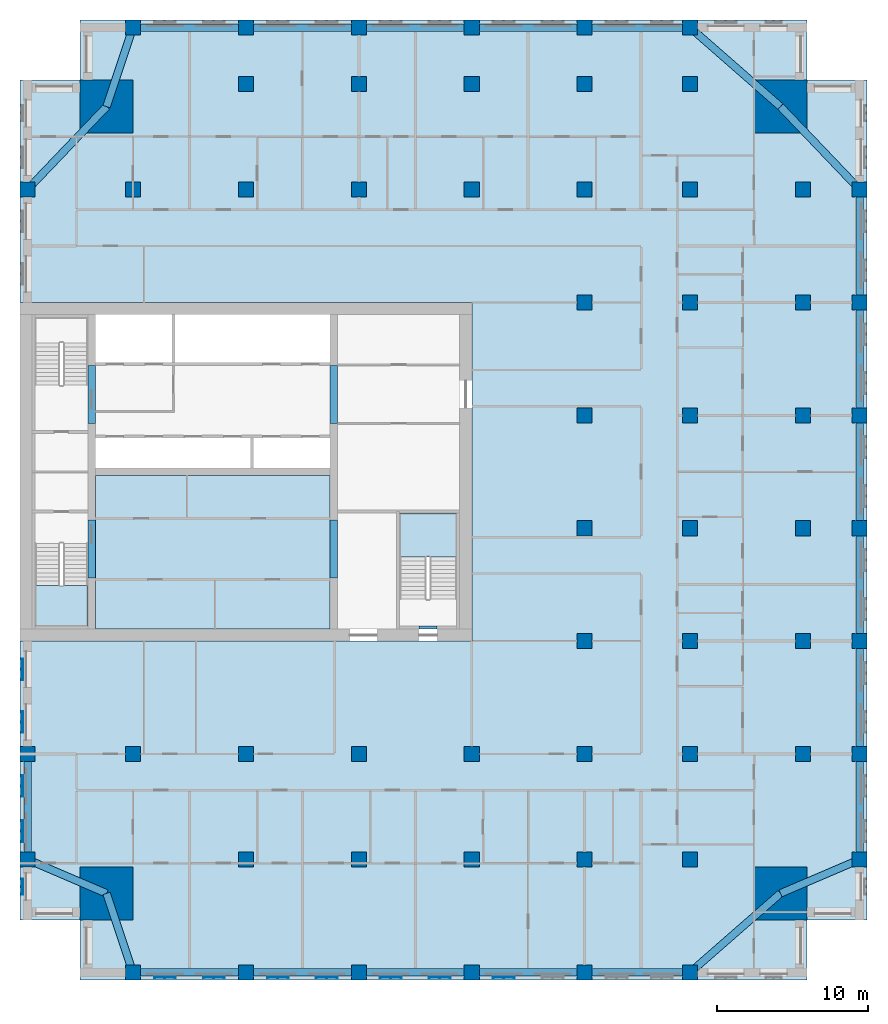
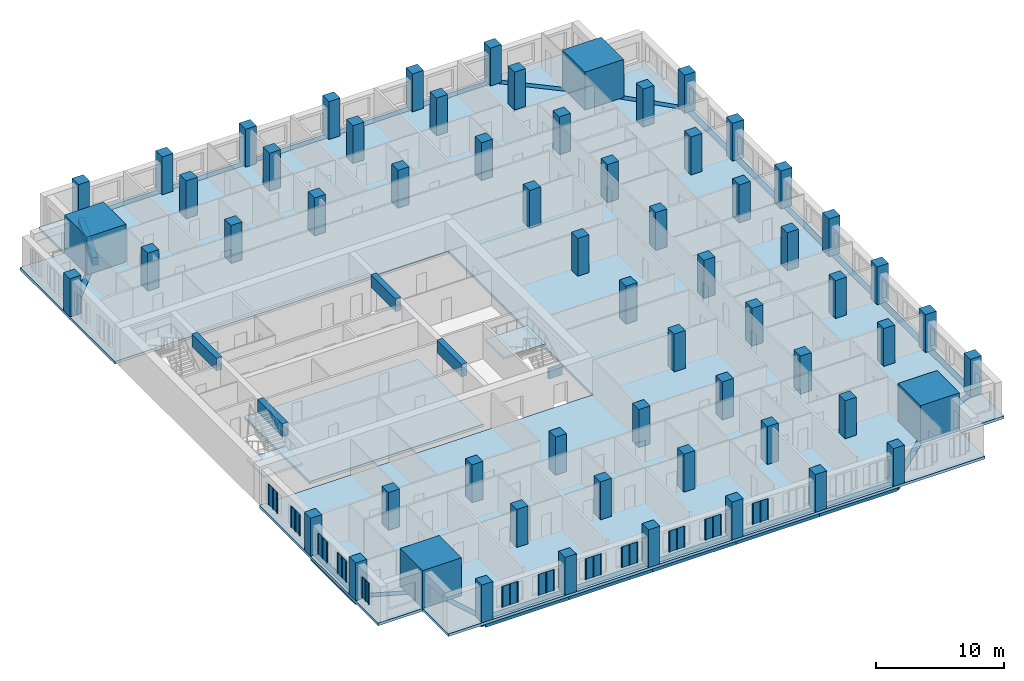
# One storey, part 1 of 14: 62 columns, 30 beams, 12 plates, 4 slabs, 2 elements without a shape of their own.
"""IFC4 building model written with IfcOpenShell, lengths in metres."""

from ifc_helpers import new_model, si_unit, direction, frame, origin, origin_2d, place, context, subcontext, project, spatial, polyline, rectangle, outline, extrude, material, layer, layer_set, material_profile, profile_set, type_object, element, aggregate, save


model = new_model("IFC4")

# Units and contexts
model_context = context("Model", 3, precision=1e-05, world=origin(), true_north=direction((0.0, 1.0)))
body_context = subcontext(model_context, "Body", "Model", "MODEL_VIEW")
ifc_project = project(units=[si_unit("LENGTHUNIT", "METRE"), si_unit("AREAUNIT", "SQUARE_METRE"), si_unit("VOLUMEUNIT", "CUBIC_METRE"), si_unit("PLANEANGLEUNIT", "RADIAN"), si_unit("MASSUNIT", "GRAM", prefix="KILO")], contexts=[model_context])

# Site, building, storey
site_placement = place(None, origin())
site = spatial("IfcSite", under=ifc_project, at=site_placement, CompositionType="ELEMENT")
building_placement = place(site_placement, origin())
building = spatial("IfcBuilding", under=site, at=building_placement, Name="Tamorin Gate", CompositionType="ELEMENT")
storey_placement = place(building_placement, frame((0.0, 0.0, 148.199951171875)))
storey = spatial("IfcBuildingStorey", under=building, at=storey_placement, Name="L36", CompositionType="ELEMENT", Elevation=148.199951171875)

# Columns
ifc_material_1 = material(Name="Concrete C70/85", Category="concrete")
ifc_material_profile_1 = material_profile(ifc_material_1, rectangle(XDim=1.0, YDim=1.0, at=origin_2d()), Name="RC 1000x1000")
ifc_profile_set_1 = profile_set([ifc_material_profile_1], Name="Concrete C70/85")
column_type_1 = type_object("IfcColumnType", Name="RC column 1000x1000 C70/85", PredefinedType="COLUMN", material=ifc_profile_set_1)
for number, where, z_axis, x_axis, name in (
    (1, (85.75, 45.5, 0.0), (0.0, 0.0, 1.0), (1.0, 0.0, 0.0), "Ring column L36"),
    (2, (85.75, 52.5, 0.0), (0.0, 0.0, 1.0), (1.0, 0.0, 0.0), "Ring column L36"),
    (3, (85.75, 60.0, 0.0), (0.0, 0.0, 1.0), (1.0, 0.0, 0.0), "Ring column L36"),
    (4, (85.75, 67.5, 0.0), (0.0, 0.0, 1.0), (1.0, 0.0, 0.0), "Ring column L36"),
    (5, (85.75, 75.0, 0.0), (0.0, 0.0, 1.0), (1.0, 0.0, 0.0), "Ring column L36"),
    (6, (85.75, 82.5, 0.0), (0.0, 0.0, 1.0), (1.0, 0.0, 0.0), "Ring column L36"),
    (7, (85.75, 90.0, 0.0), (0.0, 0.0, 1.0), (1.0, 0.0, 0.0), "Ring column L36"),
    (8, (37.5, 100.75, 0.0), (0.0, 0.0, 1.0), (1.0, 0.0, 0.0), "Ring column L36"),
    (9, (45.0, 100.75, 0.0), (0.0, 0.0, 1.0), (1.0, 0.0, 0.0), "Ring column L36"),
    (10, (52.5, 100.75, 0.0), (0.0, 0.0, 1.0), (1.0, 0.0, 0.0), "Ring column L36"),
    (11, (60.0, 100.75, 0.0), (0.0, 0.0, 1.0), (1.0, 0.0, 0.0), "Ring column L36"),
    (12, (67.5, 100.75, 0.0), (0.0, 0.0, 1.0), (1.0, 0.0, 0.0), "Ring column L36"),
    (13, (74.5, 100.75, 0.0), (0.0, 0.0, 1.0), (1.0, 0.0, 0.0), "Ring column L36"),
    (14, (30.5, 45.5, 0.0), (0.0, 0.0, 1.0), (1.0, 0.0, 0.0), "Ring column L36"),
    (15, (30.5, 52.5, 0.0), (0.0, 0.0, 1.0), (1.0, 0.0, 0.0), "Ring column L36"),
    (16, (30.5, 90.0, 0.0), (0.0, 0.0, 1.0), (1.0, 0.0, 0.0), "Ring column L36"),
    (17, (37.5, 38.0, 0.0), (0.0, 0.0, 1.0), (1.0, 0.0, 0.0), "Ring column L36"),
    (18, (37.5, 52.5, 0.0), (0.0, 0.0, 1.0), (1.0, 0.0, 0.0), "Interior column L36"),
    (19, (37.5, 90.0, 0.0), (0.0, 0.0, 1.0), (1.0, 0.0, 0.0), "Interior column L36"),
    (20, (45.0, 38.0, 0.0), (0.0, 0.0, 1.0), (1.0, 0.0, 0.0), "Ring column L36"),
    (21, (45.0, 45.5, 0.0), (0.0, 0.0, 1.0), (1.0, 0.0, 0.0), "Interior column L36"),
    (22, (45.0, 52.5, 0.0), (0.0, 0.0, 1.0), (1.0, 0.0, 0.0), "Interior column L36"),
    (23, (45.0, 90.0, 0.0), (0.0, 0.0, 1.0), (1.0, 0.0, 0.0), "Interior column L36"),
    (24, (45.0, 97.0, 0.0), (0.0, 0.0, 1.0), (1.0, 0.0, 0.0), "Interior column L36"),
    (25, (52.5, 38.0, 0.0), (0.0, 0.0, 1.0), (1.0, 0.0, 0.0), "Ring column L36"),
    (26, (52.5, 45.5, 0.0), (0.0, 0.0, 1.0), (1.0, 0.0, 0.0), "Interior column L36"),
    (27, (52.5, 52.5, 0.0), (0.0, 0.0, 1.0), (1.0, 0.0, 0.0), "Interior column L36"),
    (28, (52.5, 90.0, 0.0), (0.0, 0.0, 1.0), (1.0, 0.0, 0.0), "Interior column L36"),
    (29, (52.5, 97.0, 0.0), (0.0, 0.0, 1.0), (1.0, 0.0, 0.0), "Interior column L36"),
    (30, (60.0, 38.0, 0.0), (0.0, 0.0, 1.0), (1.0, 0.0, 0.0), "Ring column L36"),
    (31, (60.0, 45.5, 0.0), (0.0, 0.0, 1.0), (1.0, 0.0, 0.0), "Interior column L36"),
    (32, (60.0, 52.5, 0.0), (0.0, 0.0, 1.0), (1.0, 0.0, 0.0), "Interior column L36"),
    (33, (60.0, 90.0, 0.0), (0.0, 0.0, 1.0), (1.0, 0.0, 0.0), "Interior column L36"),
    (34, (60.0, 97.0, 0.0), (0.0, 0.0, 1.0), (1.0, 0.0, 0.0), "Interior column L36"),
    (35, (67.5, 38.0, 0.0), (0.0, 0.0, 1.0), (1.0, 0.0, 0.0), "Ring column L36"),
    (36, (67.5, 45.5, 0.0), (0.0, 0.0, 1.0), (1.0, 0.0, 0.0), "Interior column L36"),
    (37, (67.5, 52.5, 0.0), (0.0, 0.0, 1.0), (1.0, 0.0, 0.0), "Interior column L36"),
    (38, (67.5, 60.0, 0.0), (0.0, 0.0, 1.0), (1.0, 0.0, 0.0), "Interior column L36"),
    (39, (67.5, 67.5, 0.0), (0.0, 0.0, 1.0), (1.0, 0.0, 0.0), "Interior column L36"),
    (40, (67.5, 75.0, 0.0), (0.0, 0.0, 1.0), (1.0, 0.0, 0.0), "Interior column L36"),
    (41, (67.5, 82.5, 0.0), (0.0, 0.0, 1.0), (1.0, 0.0, 0.0), "Interior column L36"),
    (42, (67.5, 90.0, 0.0), (0.0, 0.0, 1.0), (1.0, 0.0, 0.0), "Interior column L36"),
    (43, (67.5, 97.0, 0.0), (0.0, 0.0, 1.0), (1.0, 0.0, 0.0), "Interior column L36"),
    (44, (74.5, 38.0, 0.0), (0.0, 0.0, 1.0), (1.0, 0.0, 0.0), "Ring column L36"),
    (45, (74.5, 45.5, 0.0), (0.0, 0.0, 1.0), (1.0, 0.0, 0.0), "Interior column L36"),
    (46, (74.5, 52.5, 0.0), (0.0, 0.0, 1.0), (1.0, 0.0, 0.0), "Interior column L36"),
    (47, (74.5, 60.0, 0.0), (0.0, 0.0, 1.0), (1.0, 0.0, 0.0), "Interior column L36"),
    (48, (74.5, 67.5, 0.0), (0.0, 0.0, 1.0), (1.0, 0.0, 0.0), "Interior column L36"),
    (49, (74.5, 75.0, 0.0), (0.0, 0.0, 1.0), (1.0, 0.0, 0.0), "Interior column L36"),
    (50, (74.5, 82.5, 0.0), (0.0, 0.0, 1.0), (1.0, 0.0, 0.0), "Interior column L36"),
    (51, (74.5, 90.0, 0.0), (0.0, 0.0, 1.0), (1.0, 0.0, 0.0), "Interior column L36"),
    (52, (74.5, 97.0, 0.0), (0.0, 0.0, 1.0), (1.0, 0.0, 0.0), "Interior column L36"),
    (53, (82.0, 52.5, 0.0), (0.0, 0.0, 1.0), (1.0, 0.0, 0.0), "Interior column L36"),
    (54, (82.0, 60.0, 0.0), (0.0, 0.0, 1.0), (1.0, 0.0, 0.0), "Interior column L36"),
    (55, (82.0, 67.5, 0.0), (0.0, 0.0, 1.0), (1.0, 0.0, 0.0), "Interior column L36"),
    (56, (82.0, 75.0, 0.0), (0.0, 0.0, 1.0), (1.0, 0.0, 0.0), "Interior column L36"),
    (57, (82.0, 82.5, 0.0), (0.0, 0.0, 1.0), (1.0, 0.0, 0.0), "Interior column L36"),
    (58, (82.0, 90.0, 0.0), (0.0, 0.0, 1.0), (1.0, 0.0, 0.0), "Interior column L36"),
):
    element("IfcColumn", number, at=place(storey_placement, frame(where, z_axis=z_axis, x_axis=x_axis)), inside=storey, type_object=column_type_1, Name=name, PredefinedType="COLUMN", context=body_context, shape_type="SweptSolid", body=[
        extrude(rectangle(XDim=1.0, YDim=1.0, at=origin_2d()), origin(), (0.0, 0.0, 1.0), 3.60009765625),
    ])
ifc_material_profile_2 = material_profile(ifc_material_1, rectangle(XDim=3.5, YDim=3.5, at=origin_2d()), Name="RC 3500x3500")
ifc_profile_set_2 = profile_set([ifc_material_profile_2], Name="Concrete C70/85")
column_type_2 = type_object("IfcColumnType", Name="RC column 3500x3500 C70/85", PredefinedType="COLUMN", material=ifc_profile_set_2)
for number, where, z_axis, x_axis, name in (
    (59, (35.75, 43.25, 0.0), (0.0, 0.0, 1.0), (1.0, 0.0, 0.0), "Mega column SW L36"),
    (60, (80.5, 43.25, 0.0), (0.0, 0.0, 1.0), (1.0, 0.0, 0.0), "Mega column SE L36"),
    (61, (35.75, 95.5, 0.0), (0.0, 0.0, 1.0), (1.0, 0.0, 0.0), "Mega column NW L36"),
    (62, (80.5, 95.5, 0.0), (0.0, 0.0, 1.0), (1.0, 0.0, 0.0), "Mega column NE L36"),
):
    element("IfcColumn", number, at=place(storey_placement, frame(where, z_axis=z_axis, x_axis=x_axis)), inside=storey, type_object=column_type_2, Name=name, PredefinedType="COLUMN", context=body_context, shape_type="SweptSolid", body=[
        extrude(rectangle(XDim=3.5, YDim=3.5, at=origin_2d()), origin(), (0.0, 0.0, 1.0), 3.60009765625),
    ])

# Beams
ifc_material_2 = material(Name="Concrete C60/75", Category="concrete")
ifc_material_profile_3 = material_profile(ifc_material_2, rectangle(XDim=0.5, YDim=1.199951171875, at=origin_2d()), Name="RC 500x1200")
ifc_profile_set_3 = profile_set([ifc_material_profile_3], Name="Concrete C60/75")
beam_type_1 = type_object("IfcBeamType", Name="RC coupling beam 500x1200 C60/75", PredefinedType="BEAM", material=ifc_profile_set_3)
for number, where, z_axis, x_axis, name in (
    (63, (34.75, 64.199951171875, 3.0), (0.0, 1.0, 0.0), (-1.0, 0.0, 0.0), "Coupling beam L36"),
    (64, (34.75, 74.449951171875, 3.0), (0.0, 1.0, 0.0), (-1.0, 0.0, 0.0), "Coupling beam L36"),
    (65, (50.85009765625, 64.199951171875, 3.0), (0.0, 1.0, 0.0), (-1.0, 0.0, 0.0), "Coupling beam L36"),
    (66, (50.85009765625, 74.449951171875, 3.0), (0.0, 1.0, 0.0), (-1.0, 0.0, 0.0), "Coupling beam L36"),
):
    element("IfcBeam", number, at=place(storey_placement, frame(where, z_axis=z_axis, x_axis=x_axis)), inside=storey, type_object=beam_type_1, Name=name, PredefinedType="BEAM", context=body_context, shape_type="SweptSolid", body=[
        extrude(rectangle(XDim=0.5, YDim=1.199951171875, at=origin_2d()), origin(), (0.0, 0.0, 1.0), 3.85009765625),
    ])
ifc_material_3 = material(Name="Concrete C50/60", Category="concrete")
ifc_material_profile_4 = material_profile(ifc_material_3, rectangle(XDim=0.5, YDim=0.75, at=origin_2d()), Name="RC 500x750")
ifc_profile_set_4 = profile_set([ifc_material_profile_4], Name="Concrete C50/60")
beam_type_2 = type_object("IfcBeamType", Name="RC spandrel 500x750 C50/60", PredefinedType="BEAM", material=ifc_profile_set_4)
for number, where, z_axis, x_axis, name in (
    (67, (37.5, 38.0, -0.375), (1.0, 0.0, 0.0), (0.0, 1.0, 0.0), "Spandrel beam L36"),
    (68, (45.0, 38.0, -0.375), (1.0, 0.0, 0.0), (0.0, 1.0, 0.0), "Spandrel beam L36"),
    (69, (52.5, 38.0, -0.375), (1.0, 0.0, 0.0), (0.0, 1.0, 0.0), "Spandrel beam L36"),
    (70, (60.0, 38.0, -0.375), (1.0, 0.0, 0.0), (0.0, 1.0, 0.0), "Spandrel beam L36"),
):
    element("IfcBeam", number, at=place(storey_placement, frame(where, z_axis=z_axis, x_axis=x_axis)), inside=storey, type_object=beam_type_2, Name=name, PredefinedType="BEAM", context=body_context, shape_type="SweptSolid", body=[
        extrude(rectangle(XDim=0.5, YDim=0.75, at=origin_2d()), origin(), (0.0, 0.0, 1.0), 7.5),
    ])
for number, where, z_axis, x_axis, name in (
    (71, (67.5, 38.0, -0.375), (1.0, 0.0, 0.0), (0.0, 1.0, 0.0), "Spandrel beam L36"),
    (72, (85.75, 45.5, -0.375), (0.0, 1.0, 0.0), (-1.0, 0.0, 0.0), "Spandrel beam L36"),
):
    element("IfcBeam", number, at=place(storey_placement, frame(where, z_axis=z_axis, x_axis=x_axis)), inside=storey, type_object=beam_type_2, Name=name, PredefinedType="BEAM", context=body_context, shape_type="SweptSolid", body=[
        extrude(rectangle(XDim=0.5, YDim=0.75, at=origin_2d()), origin(), (0.0, 0.0, 1.0), 7.0),
    ])
for number, where, z_axis, x_axis, name in (
    (73, (85.75, 52.5, -0.375), (0.0, 1.0, 0.0), (-1.0, 0.0, 0.0), "Spandrel beam L36"),
    (74, (85.75, 60.0, -0.375), (0.0, 1.0, 0.0), (-1.0, 0.0, 0.0), "Spandrel beam L36"),
    (75, (85.75, 67.5, -0.375), (0.0, 1.0, 0.0), (-1.0, 0.0, 0.0), "Spandrel beam L36"),
    (76, (85.75, 75.0, -0.375), (0.0, 1.0, 0.0), (-1.0, 0.0, 0.0), "Spandrel beam L36"),
    (77, (85.75, 82.5, -0.375), (0.0, 1.0, 0.0), (-1.0, 0.0, 0.0), "Spandrel beam L36"),
):
    element("IfcBeam", number, at=place(storey_placement, frame(where, z_axis=z_axis, x_axis=x_axis)), inside=storey, type_object=beam_type_2, Name=name, PredefinedType="BEAM", context=body_context, shape_type="SweptSolid", body=[
        extrude(rectangle(XDim=0.5, YDim=0.75, at=origin_2d()), origin(), (0.0, 0.0, 1.0), 7.5),
    ])
beam_1_placement = place(storey_placement, frame((74.5, 100.75, -0.375), z_axis=(-1.0, 0.0, 0.0), x_axis=(0.0, -1.0, 0.0)))
element("IfcBeam", 78, at=beam_1_placement, inside=storey, type_object=beam_type_2, Name="Spandrel beam L36", PredefinedType="BEAM", context=body_context, shape_type="SweptSolid", body=[
    extrude(rectangle(XDim=0.5, YDim=0.75, at=origin_2d()), origin(), (0.0, 0.0, 1.0), 7.0),
])
for number, where, z_axis, x_axis, name in (
    (79, (67.5, 100.75, -0.375), (-1.0, 0.0, 0.0), (0.0, -1.0, 0.0), "Spandrel beam L36"),
    (80, (60.0, 100.75, -0.375), (-1.0, 0.0, 0.0), (0.0, -1.0, 0.0), "Spandrel beam L36"),
    (81, (52.5, 100.75, -0.375), (-1.0, 0.0, 0.0), (0.0, -1.0, 0.0), "Spandrel beam L36"),
    (82, (45.0, 100.75, -0.375), (-1.0, 0.0, 0.0), (0.0, -1.0, 0.0), "Spandrel beam L36"),
):
    element("IfcBeam", number, at=place(storey_placement, frame(where, z_axis=z_axis, x_axis=x_axis)), inside=storey, type_object=beam_type_2, Name=name, PredefinedType="BEAM", context=body_context, shape_type="SweptSolid", body=[
        extrude(rectangle(XDim=0.5, YDim=0.75, at=origin_2d()), origin(), (0.0, 0.0, 1.0), 7.5),
    ])
beam_2_placement = place(storey_placement, frame((30.5, 52.5, -0.375), z_axis=(0.0, -1.0, 0.0), x_axis=(1.0, 0.0, 0.0)))
element("IfcBeam", 83, at=beam_2_placement, inside=storey, type_object=beam_type_2, Name="Spandrel beam L36", PredefinedType="BEAM", context=body_context, shape_type="SweptSolid", body=[
    extrude(rectangle(XDim=0.5, YDim=0.75, at=origin_2d()), origin(), (0.0, 0.0, 1.0), 7.0),
])
beam_3_placement = place(storey_placement, frame((35.75, 43.25, -0.375), z_axis=(0.316227766017, -0.948683298051, 0.0), x_axis=(0.948683298051, 0.316227766017, 0.0)))
element("IfcBeam", 84, at=beam_3_placement, inside=storey, type_object=beam_type_2, Name="Corner tie beam L36", PredefinedType="BEAM", context=body_context, shape_type="SweptSolid", body=[
    extrude(rectangle(XDim=0.5, YDim=0.75, at=origin_2d()), origin(), (0.0, 0.0, 1.0), 5.533935546875),
])
for number, where, z_axis, x_axis, name in (
    (85, (35.75, 43.25, -0.375), (-0.919145030018, 0.393919298579, 0.0), (-0.393919298579, -0.919145030018, 0.0), "Corner tie beam L36"),
    (86, (80.5, 43.25, -0.375), (0.919145030018, 0.393919298579, 0.0), (-0.393919298579, 0.919145030018, 0.0), "Corner tie beam L36"),
):
    element("IfcBeam", number, at=place(storey_placement, frame(where, z_axis=z_axis, x_axis=x_axis)), inside=storey, type_object=beam_type_2, Name=name, PredefinedType="BEAM", context=body_context, shape_type="SweptSolid", body=[
        extrude(rectangle(XDim=0.5, YDim=0.75, at=origin_2d()), origin(), (0.0, 0.0, 1.0), 5.7119140625),
    ])
beam_4_placement = place(storey_placement, frame((80.5, 43.25, -0.375), z_axis=(-0.752576694707, -0.658504607869, 0.0), x_axis=(0.658504607869, -0.752576694707, 0.0)))
element("IfcBeam", 87, at=beam_4_placement, inside=storey, type_object=beam_type_2, Name="Corner tie beam L36", PredefinedType="BEAM", context=body_context, shape_type="SweptSolid", body=[
    extrude(rectangle(XDim=0.5, YDim=0.75, at=origin_2d()), origin(), (0.0, 0.0, 1.0), 7.97265625),
])
beam_5_placement = place(storey_placement, frame((35.75, 95.5, -0.375), z_axis=(0.316227766017, 0.948683298051, 0.0), x_axis=(-0.948683298051, 0.316227766017, 0.0)))
element("IfcBeam", 88, at=beam_5_placement, inside=storey, type_object=beam_type_2, Name="Corner tie beam L36", PredefinedType="BEAM", context=body_context, shape_type="SweptSolid", body=[
    extrude(rectangle(XDim=0.5, YDim=0.75, at=origin_2d()), origin(), (0.0, 0.0, 1.0), 5.533935546875),
])
for number, where, z_axis, x_axis, name in (
    (89, (35.75, 95.5, -0.375), (-0.690475746683, -0.723355544144, 0.0), (0.723355544144, -0.690475746683, 0.0), "Corner tie beam L36"),
    (90, (80.5, 95.5, -0.375), (0.690475746683, -0.723355544144, 0.0), (0.723355544144, 0.690475746683, 0.0), "Corner tie beam L36"),
):
    element("IfcBeam", number, at=place(storey_placement, frame(where, z_axis=z_axis, x_axis=x_axis)), inside=storey, type_object=beam_type_2, Name=name, PredefinedType="BEAM", context=body_context, shape_type="SweptSolid", body=[
        extrude(rectangle(XDim=0.5, YDim=0.75, at=origin_2d()), origin(), (0.0, 0.0, 1.0), 7.603515625),
    ])
beam_6_placement = place(storey_placement, frame((80.5, 95.5, -0.375), z_axis=(-0.752576694707, 0.658504607869, 0.0), x_axis=(-0.658504607869, -0.752576694707, 0.0)))
element("IfcBeam", 91, at=beam_6_placement, inside=storey, type_object=beam_type_2, Name="Corner tie beam L36", PredefinedType="BEAM", context=body_context, shape_type="SweptSolid", body=[
    extrude(rectangle(XDim=0.5, YDim=0.75, at=origin_2d()), origin(), (0.0, 0.0, 1.0), 7.97265625),
])
ifc_material_profile_5 = material_profile(ifc_material_2, rectangle(XDim=0.199951171875, YDim=1.0, at=origin_2d()))
ifc_profile_set_5 = profile_set([ifc_material_profile_5], Name="Concrete C60/75")
beam_type_3 = type_object("IfcBeamType", Name="Stair lintel 200x1000 C60/75", PredefinedType="BEAM", material=ifc_profile_set_5)
beam_7_placement = place(storey_placement, frame((56.5, 60.89990234375, 2.699951171875), z_axis=(1.0, 0.0, 0.0), x_axis=(0.0, 1.0, 0.0)))
element("IfcBeam", 92, at=beam_7_placement, inside=storey, type_object=beam_type_3, Name="Stair lintel", PredefinedType="BEAM", context=body_context, shape_type="SweptSolid", body=[
    extrude(rectangle(XDim=0.199951171875, YDim=1.0, at=origin_2d()), origin(), (0.0, 0.0, 1.0), 1.199951171875),
])

# Slab
ifc_material_4 = material(Name="Concrete C40/50", Category="concrete")
ifc_layer_1 = layer(ifc_material_4, 0.25)
ifc_layer_set_1 = layer_set([ifc_layer_1], Name="Core floor slab 250 C40/50")
slab_type_1 = type_object("IfcSlabType", Name="Core floor slab 250 C40/50", PredefinedType="FLOOR", material=ifc_layer_set_1)
slab_1_placement = place(storey_placement, frame((0.0, 0.0, -0.25)))
element("IfcSlab", 93, at=slab_1_placement, inside=storey, type_object=slab_type_1, Name="Core floor L36", PredefinedType="FLOOR", context=body_context, shape_type="SweptSolid", body=[
    extrude(outline(polyline([(50.60009765625, 71.0), (50.60009765625, 60.800048828125), (35.0, 60.800048828125), (35.0, 71.0), (50.60009765625, 71.0)])), origin(), (0.0, 0.0, 1.0), 0.25),
])

# Stair, slab
stair_type = type_object("IfcStairType", Name="Exit stair", PredefinedType="HALF_TURN_STAIR", material=ifc_material_4)
stair_1_placement = place(storey_placement, origin())
stair_1 = element("IfcStair", 94, at=stair_1_placement, inside=storey, type_object=stair_type, Name="L36 stair ST1", PredefinedType="HALF_TURN_STAIR")
ifc_layer_2 = layer(ifc_material_4, 0.199951171875)
ifc_layer_set_2 = layer_set([ifc_layer_2], Name="Exit stair landing 200")
slab_type_2 = type_object("IfcSlabType", Name="Exit stair landing 200", PredefinedType="LANDING", material=ifc_layer_set_2)
slab_2_placement = place(storey_placement, frame((0.0, 0.0, 1.60009765625)))
slab_2 = element("IfcSlab", 95, at=slab_2_placement, type_object=slab_type_2, Name="ST1 landing 1", PredefinedType="LANDING", context=body_context, shape_type="SweptSolid", body=[
    extrude(outline(polyline([(31.0, 63.699951171875), (31.0, 61.0), (34.5, 61.0), (34.5, 63.699951171875), (31.0, 63.699951171875)])), origin(), (0.0, 0.0, 1.0), 0.199951171875),
])
aggregate(stair_1, [slab_2])

stair_2_placement = place(storey_placement, origin())
stair_2 = element("IfcStair", 96, at=stair_2_placement, inside=storey, type_object=stair_type, Name="L36 stair ST3", PredefinedType="HALF_TURN_STAIR")
slab_3_placement = place(storey_placement, frame((0.0, 0.0, 1.60009765625)))
slab_3 = element("IfcSlab", 97, at=slab_3_placement, type_object=slab_type_2, Name="ST3 landing 1", PredefinedType="LANDING", context=body_context, shape_type="SweptSolid", body=[
    extrude(outline(polyline([(59.0, 65.60009765625), (59.0, 68.5), (55.199951171875, 68.5), (55.199951171875, 65.60009765625), (59.0, 65.60009765625)])), origin(), (0.0, 0.0, 1.0), 0.199951171875),
])
aggregate(stair_2, [slab_3])

# Slab
ifc_layer_3 = layer(ifc_material_4, 0.25)
ifc_layer_set_3 = layer_set([ifc_layer_3], Name="Floor slab 250 C40/50")
slab_type_3 = type_object("IfcSlabType", Name="Floor slab 250 C40/50", PredefinedType="FLOOR", material=ifc_layer_set_3)
slab_4_placement = place(storey_placement, frame((0.0, 0.0, -0.25)))
element("IfcSlab", 98, at=slab_4_placement, inside=storey, type_object=slab_type_3, Name="Floor L36", PredefinedType="FLOOR", context=body_context, shape_type="SweptSolid", body=[
    extrude(outline(polyline([(30.0, 97.25), (34.0, 97.25), (34.0, 101.25), (82.25, 101.25), (82.25, 97.25), (86.25, 97.25), (86.25, 41.5), (82.25, 41.5), (82.25, 37.5), (34.0, 37.5), (34.0, 41.5), (30.0, 41.5), (30.0, 60.0), (60.0, 60.0), (60.0, 82.5), (30.0, 82.5), (30.0, 97.25)])), origin(), (0.0, 0.0, 1.0), 0.25),
])

# Plates
ifc_material_5 = material(Name="Perforated pale aluminium sheet", Category="aluminium")
ifc_layer_4 = layer(ifc_material_5, 0.0400390625)
ifc_layer_set_4 = layer_set([ifc_layer_4], Name="Pale metal solar screen 1080")
plate_type_1 = type_object("IfcPlateType", Name="Pale metal solar screen 1080", PredefinedType="SHEET", material=ifc_layer_set_4)
plate_1_placement = place(storey_placement, frame((0.0, 0.0, 0.7099609375)))
element("IfcPlate", 99, at=plate_1_placement, inside=storey, type_object=plate_type_1, Name="Perforated solar screen", PredefinedType="SHEET", context=body_context, shape_type="SweptSolid", body=[
    extrude(outline(polyline([(30.159912109375, 44.239990234375), (30.199951171875, 44.239990234375), (30.199951171875, 44.179931640625), (30.199951171875, 43.72998046875), (30.199951171875, 43.669921875), (30.199951171875, 43.219970703125), (30.199951171875, 43.159912109375), (30.159912109375, 43.159912109375), (30.10009765625, 43.159912109375), (30.10009765625, 43.219970703125), (30.159912109375, 43.219970703125), (30.159912109375, 43.669921875), (30.10009765625, 43.669921875), (30.10009765625, 43.72998046875), (30.159912109375, 43.72998046875), (30.159912109375, 44.179931640625), (30.10009765625, 44.179931640625), (30.10009765625, 44.239990234375), (30.159912109375, 44.239990234375)])), origin(), (0.0, 0.0, 1.0), 1.97998046875),
])
ifc_layer_5 = layer(ifc_material_5, 0.0400390625)
ifc_layer_set_5 = layer_set([ifc_layer_5], Name="Pale metal solar screen 1440")
plate_type_2 = type_object("IfcPlateType", Name="Pale metal solar screen 1440", PredefinedType="SHEET", material=ifc_layer_set_5)
plate_2_placement = place(storey_placement, frame((0.0, 0.0, 0.7099609375)))
element("IfcPlate", 100, at=plate_2_placement, inside=storey, type_object=plate_type_2, Name="Perforated solar screen", PredefinedType="SHEET", context=body_context, shape_type="SweptSolid", body=[
    extrude(outline(polyline([(38.905029296875, 37.659912109375), (38.905029296875, 37.699951171875), (38.965087890625, 37.699951171875), (39.594970703125, 37.699951171875), (39.655029296875, 37.699951171875), (40.284912109375, 37.699951171875), (40.344970703125, 37.699951171875), (40.344970703125, 37.699951171875), (40.344970703125, 37.659912109375), (40.344970703125, 37.659912109375), (40.344970703125, 37.60009765625), (40.284912109375, 37.60009765625), (40.284912109375, 37.659912109375), (39.655029296875, 37.659912109375), (39.655029296875, 37.60009765625), (39.594970703125, 37.60009765625), (39.594970703125, 37.659912109375), (38.965087890625, 37.659912109375), (38.965087890625, 37.60009765625), (38.905029296875, 37.60009765625), (38.905029296875, 37.659912109375)])), origin(), (0.0, 0.0, 1.0), 1.97998046875),
])
plate_3_placement = place(storey_placement, frame((0.0, 0.0, 0.7099609375)))
element("IfcPlate", 101, at=plate_3_placement, inside=storey, type_object=plate_type_2, Name="Perforated solar screen", PredefinedType="SHEET", context=body_context, shape_type="SweptSolid", body=[
    extrude(outline(polyline([(42.155029296875, 37.659912109375), (42.155029296875, 37.699951171875), (42.215087890625, 37.699951171875), (42.844970703125, 37.699951171875), (42.905029296875, 37.699951171875), (43.534912109375, 37.699951171875), (43.594970703125, 37.699951171875), (43.594970703125, 37.659912109375), (43.594970703125, 37.60009765625), (43.534912109375, 37.60009765625), (43.534912109375, 37.659912109375), (42.905029296875, 37.659912109375), (42.905029296875, 37.60009765625), (42.844970703125, 37.60009765625), (42.844970703125, 37.659912109375), (42.215087890625, 37.659912109375), (42.215087890625, 37.60009765625), (42.155029296875, 37.60009765625), (42.155029296875, 37.659912109375)])), origin(), (0.0, 0.0, 1.0), 1.97998046875),
])
plate_4_placement = place(storey_placement, frame((0.0, 0.0, 0.7099609375)))
element("IfcPlate", 102, at=plate_4_placement, inside=storey, type_object=plate_type_2, Name="Perforated solar screen", PredefinedType="SHEET", context=body_context, shape_type="SweptSolid", body=[
    extrude(outline(polyline([(46.405029296875, 37.659912109375), (46.405029296875, 37.699951171875), (46.465087890625, 37.699951171875), (47.094970703125, 37.699951171875), (47.155029296875, 37.699951171875), (47.784912109375, 37.699951171875), (47.844970703125, 37.699951171875), (47.844970703125, 37.659912109375), (47.844970703125, 37.60009765625), (47.784912109375, 37.60009765625), (47.784912109375, 37.659912109375), (47.155029296875, 37.659912109375), (47.155029296875, 37.60009765625), (47.094970703125, 37.60009765625), (47.094970703125, 37.659912109375), (46.465087890625, 37.659912109375), (46.465087890625, 37.60009765625), (46.405029296875, 37.60009765625), (46.405029296875, 37.659912109375)])), origin(), (0.0, 0.0, 1.0), 1.97998046875),
])
plate_5_placement = place(storey_placement, frame((0.0, 0.0, 0.7099609375)))
element("IfcPlate", 103, at=plate_5_placement, inside=storey, type_object=plate_type_2, Name="Perforated solar screen", PredefinedType="SHEET", context=body_context, shape_type="SweptSolid", body=[
    extrude(outline(polyline([(49.655029296875, 37.659912109375), (49.655029296875, 37.699951171875), (49.715087890625, 37.699951171875), (50.344970703125, 37.699951171875), (50.405029296875, 37.699951171875), (51.034912109375, 37.699951171875), (51.094970703125, 37.699951171875), (51.094970703125, 37.659912109375), (51.094970703125, 37.60009765625), (51.034912109375, 37.60009765625), (51.034912109375, 37.659912109375), (50.405029296875, 37.659912109375), (50.405029296875, 37.60009765625), (50.344970703125, 37.60009765625), (50.344970703125, 37.659912109375), (49.715087890625, 37.659912109375), (49.715087890625, 37.60009765625), (49.655029296875, 37.60009765625), (49.655029296875, 37.659912109375)])), origin(), (0.0, 0.0, 1.0), 1.97998046875),
])
plate_6_placement = place(storey_placement, frame((0.0, 0.0, 0.7099609375)))
element("IfcPlate", 104, at=plate_6_placement, inside=storey, type_object=plate_type_2, Name="Perforated solar screen", PredefinedType="SHEET", context=body_context, shape_type="SweptSolid", body=[
    extrude(outline(polyline([(53.905029296875, 37.659912109375), (53.905029296875, 37.699951171875), (53.965087890625, 37.699951171875), (54.594970703125, 37.699951171875), (54.655029296875, 37.699951171875), (55.284912109375, 37.699951171875), (55.344970703125, 37.699951171875), (55.344970703125, 37.659912109375), (55.344970703125, 37.60009765625), (55.284912109375, 37.60009765625), (55.284912109375, 37.659912109375), (54.655029296875, 37.659912109375), (54.655029296875, 37.60009765625), (54.594970703125, 37.60009765625), (54.594970703125, 37.659912109375), (53.965087890625, 37.659912109375), (53.965087890625, 37.60009765625), (53.905029296875, 37.60009765625), (53.905029296875, 37.659912109375)])), origin(), (0.0, 0.0, 1.0), 1.97998046875),
])
plate_7_placement = place(storey_placement, frame((0.0, 0.0, 0.7099609375)))
element("IfcPlate", 105, at=plate_7_placement, inside=storey, type_object=plate_type_2, Name="Perforated solar screen", PredefinedType="SHEET", context=body_context, shape_type="SweptSolid", body=[
    extrude(outline(polyline([(57.155029296875, 37.659912109375), (57.155029296875, 37.699951171875), (57.215087890625, 37.699951171875), (57.844970703125, 37.699951171875), (57.905029296875, 37.699951171875), (58.534912109375, 37.699951171875), (58.594970703125, 37.699951171875), (58.594970703125, 37.659912109375), (58.594970703125, 37.60009765625), (58.534912109375, 37.60009765625), (58.534912109375, 37.659912109375), (57.905029296875, 37.659912109375), (57.905029296875, 37.60009765625), (57.844970703125, 37.60009765625), (57.844970703125, 37.659912109375), (57.215087890625, 37.659912109375), (57.215087890625, 37.60009765625), (57.155029296875, 37.60009765625), (57.155029296875, 37.659912109375)])), origin(), (0.0, 0.0, 1.0), 1.97998046875),
])
plate_8_placement = place(storey_placement, frame((0.0, 0.0, 0.7099609375)))
element("IfcPlate", 106, at=plate_8_placement, inside=storey, type_object=plate_type_2, Name="Perforated solar screen", PredefinedType="SHEET", context=body_context, shape_type="SweptSolid", body=[
    extrude(outline(polyline([(61.405029296875, 37.659912109375), (61.405029296875, 37.699951171875), (61.465087890625, 37.699951171875), (62.094970703125, 37.699951171875), (62.155029296875, 37.699951171875), (62.784912109375, 37.699951171875), (62.844970703125, 37.699951171875), (62.844970703125, 37.659912109375), (62.844970703125, 37.60009765625), (62.784912109375, 37.60009765625), (62.784912109375, 37.659912109375), (62.155029296875, 37.659912109375), (62.155029296875, 37.60009765625), (62.094970703125, 37.60009765625), (62.094970703125, 37.659912109375), (61.465087890625, 37.659912109375), (61.465087890625, 37.60009765625), (61.405029296875, 37.60009765625), (61.405029296875, 37.659912109375)])), origin(), (0.0, 0.0, 1.0), 1.97998046875),
])
plate_9_placement = place(storey_placement, frame((0.0, 0.0, 0.7099609375)))
element("IfcPlate", 107, at=plate_9_placement, inside=storey, type_object=plate_type_2, Name="Perforated solar screen", PredefinedType="SHEET", context=body_context, shape_type="SweptSolid", body=[
    extrude(outline(polyline([(30.159912109375, 55.344970703125), (30.199951171875, 55.344970703125), (30.199951171875, 55.284912109375), (30.199951171875, 54.655029296875), (30.199951171875, 54.594970703125), (30.199951171875, 53.965087890625), (30.199951171875, 53.905029296875), (30.159912109375, 53.905029296875), (30.10009765625, 53.905029296875), (30.10009765625, 53.965087890625), (30.159912109375, 53.965087890625), (30.159912109375, 54.594970703125), (30.10009765625, 54.594970703125), (30.10009765625, 54.655029296875), (30.159912109375, 54.655029296875), (30.159912109375, 55.284912109375), (30.10009765625, 55.284912109375), (30.10009765625, 55.344970703125), (30.159912109375, 55.344970703125)])), origin(), (0.0, 0.0, 1.0), 1.97998046875),
])
plate_10_placement = place(storey_placement, frame((0.0, 0.0, 0.7099609375)))
element("IfcPlate", 108, at=plate_10_placement, inside=storey, type_object=plate_type_2, Name="Perforated solar screen", PredefinedType="SHEET", context=body_context, shape_type="SweptSolid", body=[
    extrude(outline(polyline([(30.159912109375, 58.844970703125), (30.199951171875, 58.844970703125), (30.199951171875, 58.784912109375), (30.199951171875, 58.155029296875), (30.199951171875, 58.094970703125), (30.199951171875, 57.465087890625), (30.199951171875, 57.405029296875), (30.159912109375, 57.405029296875), (30.10009765625, 57.405029296875), (30.10009765625, 57.465087890625), (30.159912109375, 57.465087890625), (30.159912109375, 58.094970703125), (30.10009765625, 58.094970703125), (30.10009765625, 58.155029296875), (30.159912109375, 58.155029296875), (30.159912109375, 58.784912109375), (30.10009765625, 58.784912109375), (30.10009765625, 58.844970703125), (30.159912109375, 58.844970703125)])), origin(), (0.0, 0.0, 1.0), 1.97998046875),
])
plate_11_placement = place(storey_placement, frame((0.0, 0.0, 0.7099609375)))
element("IfcPlate", 109, at=plate_11_placement, inside=storey, type_object=plate_type_2, Name="Perforated solar screen", PredefinedType="SHEET", context=body_context, shape_type="SweptSolid", body=[
    extrude(outline(polyline([(30.159912109375, 48.094970703125), (30.199951171875, 48.094970703125), (30.199951171875, 48.034912109375), (30.199951171875, 47.405029296875), (30.199951171875, 47.344970703125), (30.199951171875, 46.715087890625), (30.199951171875, 46.655029296875), (30.159912109375, 46.655029296875), (30.10009765625, 46.655029296875), (30.10009765625, 46.715087890625), (30.159912109375, 46.715087890625), (30.159912109375, 47.344970703125), (30.10009765625, 47.344970703125), (30.10009765625, 47.405029296875), (30.159912109375, 47.405029296875), (30.159912109375, 48.034912109375), (30.10009765625, 48.034912109375), (30.10009765625, 48.094970703125), (30.159912109375, 48.094970703125)])), origin(), (0.0, 0.0, 1.0), 1.97998046875),
])
plate_12_placement = place(storey_placement, frame((0.0, 0.0, 0.7099609375)))
element("IfcPlate", 110, at=plate_12_placement, inside=storey, type_object=plate_type_2, Name="Perforated solar screen", PredefinedType="SHEET", context=body_context, shape_type="SweptSolid", body=[
    extrude(outline(polyline([(30.159912109375, 51.094970703125), (30.199951171875, 51.094970703125), (30.199951171875, 51.034912109375), (30.199951171875, 50.405029296875), (30.199951171875, 50.344970703125), (30.199951171875, 49.715087890625), (30.199951171875, 49.655029296875), (30.159912109375, 49.655029296875), (30.10009765625, 49.655029296875), (30.10009765625, 49.715087890625), (30.159912109375, 49.715087890625), (30.159912109375, 50.344970703125), (30.10009765625, 50.344970703125), (30.10009765625, 50.405029296875), (30.159912109375, 50.405029296875), (30.159912109375, 51.034912109375), (30.10009765625, 51.034912109375), (30.10009765625, 51.094970703125), (30.159912109375, 51.094970703125)])), origin(), (0.0, 0.0, 1.0), 1.97998046875),
])

save(model, "model.ifc")
